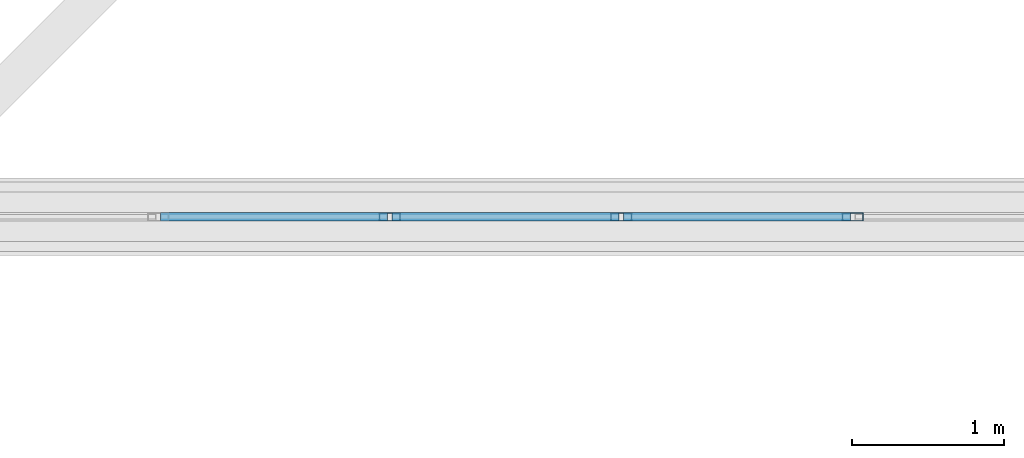
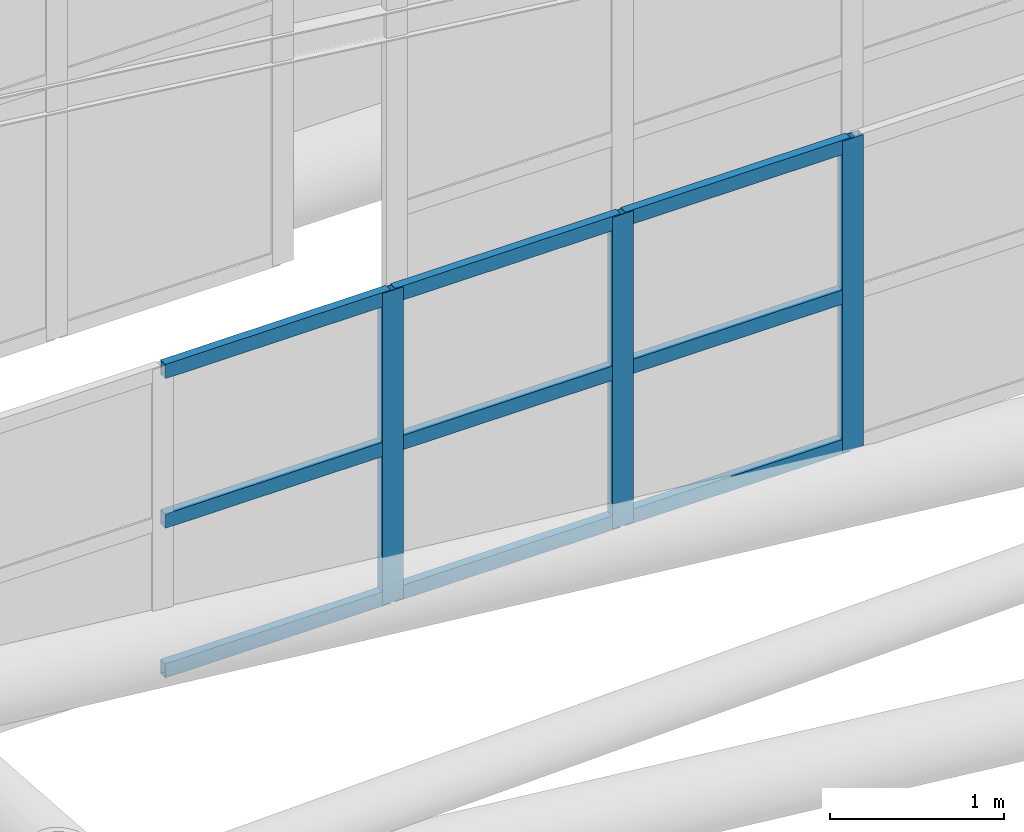
# One storey, part 311 of 397: 12 members, 1 element without a shape of its own.
"""IFC4 building model written with IfcOpenShell, lengths in metres."""

from ifc_helpers import new_model, si_unit, direction, frame, origin, origin_2d, place, context, subcontext, project, spatial, hollow_rectangle, extrude, material, material_profile, profile_set, type_object, element, aggregate, save


model = new_model("IFC4")

# Units and contexts
model_context = context("Model", 3, precision=1e-05, world=origin(), true_north=direction((0.0, 1.0)))
body_context = subcontext(model_context, "Body", "Model", "MODEL_VIEW")
ifc_project = project(units=[si_unit("LENGTHUNIT", "METRE"), si_unit("AREAUNIT", "SQUARE_METRE"), si_unit("VOLUMEUNIT", "CUBIC_METRE"), si_unit("PLANEANGLEUNIT", "RADIAN"), si_unit("MASSUNIT", "GRAM", prefix="KILO")], contexts=[model_context])

# Site, building, storey
site_placement = place(None, origin())
site = spatial("IfcSite", under=ifc_project, at=site_placement, CompositionType="ELEMENT")
building_placement = place(site_placement, origin())
building = spatial("IfcBuilding", under=site, at=building_placement, Name="Qandorah Velis Arena", CompositionType="ELEMENT")
storey_placement = place(building_placement, frame((0.0, 0.0, 27.5)))
storey = spatial("IfcBuildingStorey", under=building, at=storey_placement, Name="RF", CompositionType="ELEMENT", Elevation=27.5)

# Curtain wall, members
ifc_material_1 = material(Name="Solar-control low-E double glazing", Category="glass")
curtain_wall_type = type_object("IfcCurtainWallType", Name="ARC-CW-SYS01", PredefinedType="USERDEFINED", material=ifc_material_1)
curtain_wall_placement = place(storey_placement, origin())
curtain_wall = element("IfcCurtainWall", 1, at=curtain_wall_placement, inside=storey, type_object=curtain_wall_type, Name="Unitised curtain wall OCULUS-4-5", ObjectType="UNITISED CURTAIN WALL", PredefinedType="USERDEFINED")
ifc_material_2 = material(Name="Champagne-bronze anodized aluminium 6063-T6", Category="aluminium")
ifc_material_profile_1 = material_profile(ifc_material_2, hollow_rectangle(XDim=0.054931640625, YDim=0.139892578125, WallThickness=0.0029296875, at=origin_2d()), Name="ALU MULLION 55x140")
ifc_profile_set_1 = profile_set([ifc_material_profile_1], Name="Champagne-bronze anodized aluminium 6063-T6")
member_type_1 = type_object("IfcMemberType", Name="ARC-CWM-140", PredefinedType="MULLION", material=ifc_profile_set_1)
member_1_placement = place(storey_placement, frame((89.79443359375, 100.800048828125, 8.53515625), z_axis=(0.0, 0.0, 1.0), x_axis=(0.0, 1.0, 0.0)))
member_1 = element("IfcMember", 2, at=member_1_placement, type_object=member_type_1, Name="CW01 mullion 3", PredefinedType="MULLION", context=body_context, shape_type="SweptSolid", body=[
    extrude(hollow_rectangle(XDim=0.054931640625, YDim=0.139892578125, WallThickness=0.0029296875, at=origin_2d()), origin(), (0.0, 0.0, 1.0), 2.179931640625),
])
member_2_placement = place(storey_placement, frame((91.316650390625, 100.800048828125, 8.53515625), z_axis=(0.0, 0.0, 1.0), x_axis=(0.0, 1.0, 0.0)))
member_2 = element("IfcMember", 3, at=member_2_placement, type_object=member_type_1, Name="CW01 mullion 4", PredefinedType="MULLION", context=body_context, shape_type="SweptSolid", body=[
    extrude(hollow_rectangle(XDim=0.054931640625, YDim=0.139892578125, WallThickness=0.0029296875, at=origin_2d()), origin(), (0.0, 0.0, 1.0), 2.179931640625),
])
member_3_placement = place(storey_placement, frame((92.8388671875, 100.800048828125, 8.53515625), z_axis=(0.0, 0.0, 1.0), x_axis=(0.0, 1.0, 0.0)))
member_3 = element("IfcMember", 4, at=member_3_placement, type_object=member_type_1, Name="CW01 mullion 5", PredefinedType="MULLION", context=body_context, shape_type="SweptSolid", body=[
    extrude(hollow_rectangle(XDim=0.054931640625, YDim=0.139892578125, WallThickness=0.0029296875, at=origin_2d()), origin(), (0.0, 0.0, 1.0), 2.179931640625),
])
ifc_material_profile_2 = material_profile(ifc_material_2, hollow_rectangle(XDim=0.054931640625, YDim=0.10009765625, WallThickness=0.0029296875, at=origin_2d()), Name="ALU TRANSOM 55x100")
ifc_profile_set_2 = profile_set([ifc_material_profile_2], Name="Champagne-bronze anodized aluminium 6063-T6")
member_type_2 = type_object("IfcMemberType", Name="ARC-CWT-100", PredefinedType="USERDEFINED", material=ifc_profile_set_2)
member_4_placement = place(storey_placement, frame((88.28759765625, 100.800048828125, 8.57763671875), z_axis=(1.0, 0.0, 0.0), x_axis=(0.0, 1.0, 0.0)))
member_4 = element("IfcMember", 5, at=member_4_placement, type_object=member_type_2, Name="CW01 transom 2.1", ObjectType="TRANSOM", PredefinedType="USERDEFINED", context=body_context, shape_type="SweptSolid", body=[
    extrude(hollow_rectangle(XDim=0.054931640625, YDim=0.10009765625, WallThickness=0.0029296875, at=origin_2d()), origin(), (0.0, 0.0, 1.0), 1.4912109375),
])
member_5_placement = place(storey_placement, frame((88.28759765625, 100.800048828125, 9.625244140625), z_axis=(1.0, 0.0, 0.0), x_axis=(0.0, 1.0, 0.0)))
member_5 = element("IfcMember", 6, at=member_5_placement, type_object=member_type_2, Name="CW01 transom 2.2", ObjectType="TRANSOM", PredefinedType="USERDEFINED", context=body_context, shape_type="SweptSolid", body=[
    extrude(hollow_rectangle(XDim=0.054931640625, YDim=0.10009765625, WallThickness=0.0029296875, at=origin_2d()), origin(), (0.0, 0.0, 1.0), 1.4912109375),
])
member_6_placement = place(storey_placement, frame((88.28759765625, 100.800048828125, 10.672607421875), z_axis=(1.0, 0.0, 0.0), x_axis=(0.0, 1.0, 0.0)))
member_6 = element("IfcMember", 7, at=member_6_placement, type_object=member_type_2, Name="CW01 transom 2.3", ObjectType="TRANSOM", PredefinedType="USERDEFINED", context=body_context, shape_type="SweptSolid", body=[
    extrude(hollow_rectangle(XDim=0.054931640625, YDim=0.10009765625, WallThickness=0.0029296875, at=origin_2d()), origin(), (0.0, 0.0, 1.0), 1.4912109375),
])
member_7_placement = place(storey_placement, frame((89.809814453125, 100.800048828125, 8.57763671875), z_axis=(1.0, 0.0, 0.0), x_axis=(0.0, 1.0, 0.0)))
member_7 = element("IfcMember", 8, at=member_7_placement, type_object=member_type_2, Name="CW01 transom 3.1", ObjectType="TRANSOM", PredefinedType="USERDEFINED", context=body_context, shape_type="SweptSolid", body=[
    extrude(hollow_rectangle(XDim=0.054931640625, YDim=0.10009765625, WallThickness=0.0029296875, at=origin_2d()), origin(), (0.0, 0.0, 1.0), 1.491455078125),
])
member_8_placement = place(storey_placement, frame((89.809814453125, 100.800048828125, 9.625244140625), z_axis=(1.0, 0.0, 0.0), x_axis=(0.0, 1.0, 0.0)))
member_8 = element("IfcMember", 9, at=member_8_placement, type_object=member_type_2, Name="CW01 transom 3.2", ObjectType="TRANSOM", PredefinedType="USERDEFINED", context=body_context, shape_type="SweptSolid", body=[
    extrude(hollow_rectangle(XDim=0.054931640625, YDim=0.10009765625, WallThickness=0.0029296875, at=origin_2d()), origin(), (0.0, 0.0, 1.0), 1.491455078125),
])
member_9_placement = place(storey_placement, frame((89.809814453125, 100.800048828125, 10.672607421875), z_axis=(1.0, 0.0, 0.0), x_axis=(0.0, 1.0, 0.0)))
member_9 = element("IfcMember", 10, at=member_9_placement, type_object=member_type_2, Name="CW01 transom 3.3", ObjectType="TRANSOM", PredefinedType="USERDEFINED", context=body_context, shape_type="SweptSolid", body=[
    extrude(hollow_rectangle(XDim=0.054931640625, YDim=0.10009765625, WallThickness=0.0029296875, at=origin_2d()), origin(), (0.0, 0.0, 1.0), 1.491455078125),
])
member_10_placement = place(storey_placement, frame((91.332275390625, 100.800048828125, 8.57763671875), z_axis=(1.0, 0.0, 0.0), x_axis=(0.0, 1.0, 0.0)))
member_10 = element("IfcMember", 11, at=member_10_placement, type_object=member_type_2, Name="CW01 transom 4.1", ObjectType="TRANSOM", PredefinedType="USERDEFINED", context=body_context, shape_type="SweptSolid", body=[
    extrude(hollow_rectangle(XDim=0.054931640625, YDim=0.10009765625, WallThickness=0.0029296875, at=origin_2d()), origin(), (0.0, 0.0, 1.0), 1.4912109375),
])
member_11_placement = place(storey_placement, frame((91.332275390625, 100.800048828125, 9.625244140625), z_axis=(1.0, 0.0, 0.0), x_axis=(0.0, 1.0, 0.0)))
member_11 = element("IfcMember", 12, at=member_11_placement, type_object=member_type_2, Name="CW01 transom 4.2", ObjectType="TRANSOM", PredefinedType="USERDEFINED", context=body_context, shape_type="SweptSolid", body=[
    extrude(hollow_rectangle(XDim=0.054931640625, YDim=0.10009765625, WallThickness=0.0029296875, at=origin_2d()), origin(), (0.0, 0.0, 1.0), 1.4912109375),
])
member_12_placement = place(storey_placement, frame((91.332275390625, 100.800048828125, 10.672607421875), z_axis=(1.0, 0.0, 0.0), x_axis=(0.0, 1.0, 0.0)))
member_12 = element("IfcMember", 13, at=member_12_placement, type_object=member_type_2, Name="CW01 transom 4.3", ObjectType="TRANSOM", PredefinedType="USERDEFINED", context=body_context, shape_type="SweptSolid", body=[
    extrude(hollow_rectangle(XDim=0.054931640625, YDim=0.10009765625, WallThickness=0.0029296875, at=origin_2d()), origin(), (0.0, 0.0, 1.0), 1.4912109375),
])
aggregate(curtain_wall, [member_1, member_2, member_3, member_4, member_5, member_6, member_7, member_8, member_9, member_10, member_11, member_12])

save(model, "model.ifc")
